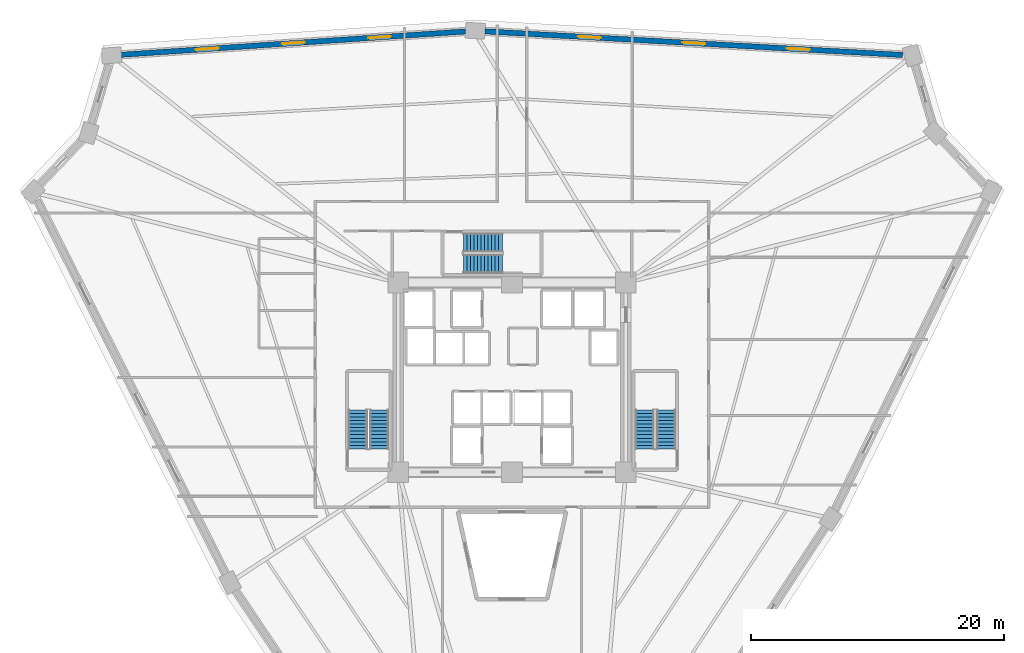
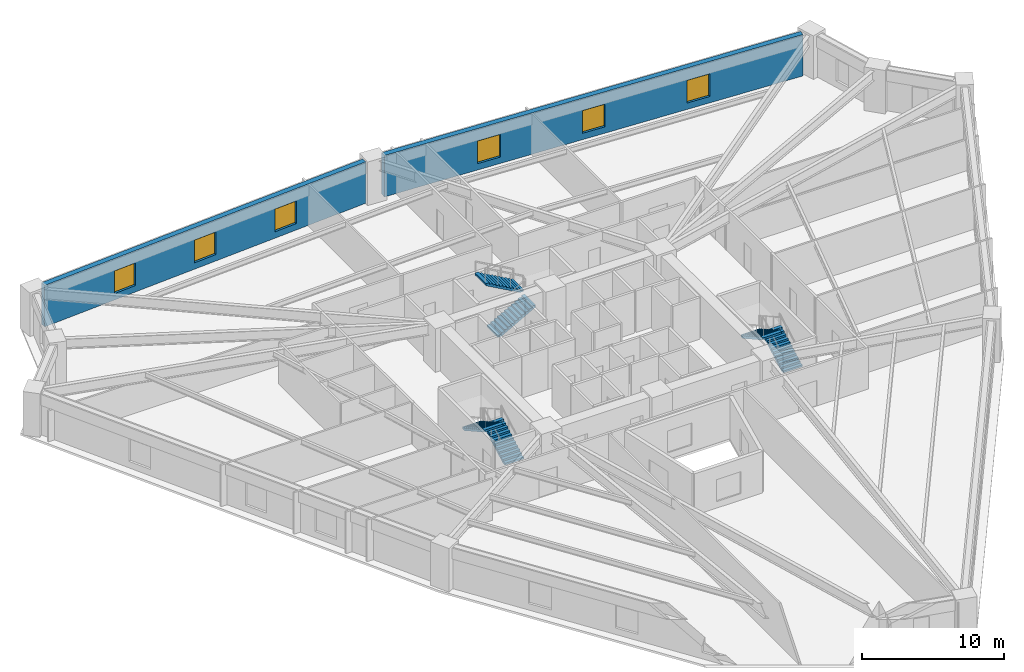
# One storey, part 7 of 8: 6 stair flights, 6 windows, 2 walls, 6 openings, 3 elements without a shape of their own.
"""IFC4 building model written with IfcOpenShell, lengths in metres."""

from ifc_helpers import new_model, si_unit, direction, frame, frame_2d, origin, place, context, subcontext, project, spatial, polyline, rectangle, outline, extrude, source, transform, mapped, material, layer, layer_set, type_object, element, fill, aggregate, save


model = new_model("IFC4")

# Units and contexts
model_context = context("Model", 3, precision=1e-05, world=origin(), true_north=direction((0.0, 1.0)))
body_context = subcontext(model_context, "Body", "Model", "MODEL_VIEW")
ifc_project = project(units=[si_unit("LENGTHUNIT", "METRE"), si_unit("AREAUNIT", "SQUARE_METRE"), si_unit("VOLUMEUNIT", "CUBIC_METRE"), si_unit("PLANEANGLEUNIT", "RADIAN"), si_unit("MASSUNIT", "GRAM", prefix="KILO")], contexts=[model_context])

# Site, building, storey
site_placement = place(None, origin())
site = spatial("IfcSite", under=ifc_project, at=site_placement, CompositionType="ELEMENT")
building_placement = place(site_placement, origin())
building = spatial("IfcBuilding", under=site, at=building_placement, Name="Liaohun Quay Tower", CompositionType="ELEMENT")
storey_placement = place(building_placement, frame((0.0, 0.0, 81.75)))
storey = spatial("IfcBuildingStorey", under=building, at=storey_placement, Name="L21", CompositionType="ELEMENT", Elevation=81.75)

# Wall, openings, windows
ifc_material_1 = material(Name="Precast concrete C50 insulated sandwich", Category="concrete")
ifc_layer = layer(ifc_material_1, 0.419921875, Name="Precast concrete C50 insulated sandwich", Category="concrete")
ifc_layer_set = layer_set([ifc_layer], Name="Precast concrete C50 insulated sandwich")
wall_type = type_object("IfcWallType", Name="WAL-EXT-Z12", PredefinedType="SOLIDWALL", material=ifc_layer_set)
wall_1_placement = place(storey_placement, frame((90.902099609375, 79.5029296875, 0.0), z_axis=(0.0, 0.0, 1.0), x_axis=(-0.998398734181, 0.056568255998, 0.0)))
wall_1 = element("IfcWall", 1, at=wall_1_placement, inside=storey, type_object=wall_type, Name="L21 Brutalist Precast Pier Wall 06", PredefinedType="SOLIDWALL", context=body_context, shape_type="SweptSolid", body=[
    extrude(rectangle(XDim=33.093994140625, YDim=0.419921875, at=frame_2d((16.546875, 0.0))), origin(), (0.0, 0.0, 1.0), 3.570068359375),
])
shared_shape_1 = source(origin(), body_context, "Body", "SweptSolid", [
    extrude(rectangle(XDim=1.800048828125, YDim=1.949951171875, at=frame_2d((0.89990234375, 0.97509765625))), frame((0.0, 0.219970703125, 0.0), z_axis=(0.0, -1.0, 0.0), x_axis=(1.0, 0.0, 0.0)), (0.0, 0.0, 1.0), 0.43994140625),
])
opening_1_placement = place(wall_1_placement, frame((7.373046875, 0.0, 0.550048828125)))
opening_1 = element("IfcOpeningElement", 2, at=opening_1_placement, cuts=wall_1, Name="Opening W01", PredefinedType="OPENING", context=body_context, shape_type="MappedRepresentation", body=[
    mapped(shared_shape_1, transform((0.0, 0.0, 0.0), x_axis=(1.0, 0.0, 0.0), y_axis=(0.0, 1.0, 0.0), z_axis=(0.0, 0.0, 1.0), scale=1.0)),
])
opening_2_placement = place(wall_1_placement, frame((15.64697265625, 0.0, 0.550048828125)))
opening_2 = element("IfcOpeningElement", 3, at=opening_2_placement, cuts=wall_1, Name="Opening W01", PredefinedType="OPENING", context=body_context, shape_type="MappedRepresentation", body=[
    mapped(shared_shape_1, transform((0.0, 0.0, 0.0), x_axis=(1.0, 0.0, 0.0), y_axis=(0.0, 1.0, 0.0), z_axis=(0.0, 0.0, 1.0), scale=1.0)),
])
opening_3_placement = place(wall_1_placement, frame((23.919921875, 0.0, 0.550048828125)))
opening_3 = element("IfcOpeningElement", 4, at=opening_3_placement, cuts=wall_1, Name="Opening W01", PredefinedType="OPENING", context=body_context, shape_type="MappedRepresentation", body=[
    mapped(shared_shape_1, transform((0.0, 0.0, 0.0), x_axis=(1.0, 0.0, 0.0), y_axis=(0.0, 1.0, 0.0), z_axis=(0.0, 0.0, 1.0), scale=1.0)),
])
ifc_material_2 = material(Name="Triple Low-E argon glazing in thermally broken aluminium", Category="aluminium")
window_type = type_object("IfcWindowType", Name="WIN-PUN-Z1", PartitioningType="DOUBLE_PANEL_VERTICAL", PredefinedType="WINDOW", material=ifc_material_2)
shared_shape_2 = source(origin(), body_context, "Body", "SweptSolid", [
    extrude(rectangle(XDim=1.800048828125, YDim=1.949951171875, at=frame_2d((0.89990234375, 0.97509765625))), frame((0.0, 0.030029296875, 0.0), z_axis=(0.0, -1.0, 0.0), x_axis=(1.0, 0.0, 0.0)), (0.0, 0.0, 1.0), 0.06005859375),
])
window_1_placement = place(opening_1_placement, origin())
window_1 = element("IfcWindow", 5, at=window_1_placement, inside=storey, type_object=window_type, Name="L21 Recessed Cold-Climate Punched Window 06-1", OverallHeight=1.949951171875, OverallWidth=1.800048828125, PartitioningType="DOUBLE_PANEL_VERTICAL", PredefinedType="WINDOW", context=body_context, shape_type="MappedRepresentation", body=[
    mapped(shared_shape_2, transform((0.0, 0.0, 0.0), x_axis=(1.0, 0.0, 0.0), y_axis=(0.0, 1.0, 0.0), z_axis=(0.0, 0.0, 1.0), scale=1.0)),
])
fill(opening_1, window_1)
window_2_placement = place(opening_2_placement, origin())
window_2 = element("IfcWindow", 6, at=window_2_placement, inside=storey, type_object=window_type, Name="L21 Recessed Cold-Climate Punched Window 06-2", OverallHeight=1.949951171875, OverallWidth=1.800048828125, PartitioningType="DOUBLE_PANEL_VERTICAL", PredefinedType="WINDOW", context=body_context, shape_type="MappedRepresentation", body=[
    mapped(shared_shape_2, transform((0.0, 0.0, 0.0), x_axis=(1.0, 0.0, 0.0), y_axis=(0.0, 1.0, 0.0), z_axis=(0.0, 0.0, 1.0), scale=1.0)),
])
fill(opening_2, window_2)
window_3_placement = place(opening_3_placement, origin())
window_3 = element("IfcWindow", 7, at=window_3_placement, inside=storey, type_object=window_type, Name="L21 Recessed Cold-Climate Punched Window 06-3", OverallHeight=1.949951171875, OverallWidth=1.800048828125, PartitioningType="DOUBLE_PANEL_VERTICAL", PredefinedType="WINDOW", context=body_context, shape_type="MappedRepresentation", body=[
    mapped(shared_shape_2, transform((0.0, 0.0, 0.0), x_axis=(1.0, 0.0, 0.0), y_axis=(0.0, 1.0, 0.0), z_axis=(0.0, 0.0, 1.0), scale=1.0)),
])
fill(opening_3, window_3)

wall_2_placement = place(storey_placement, frame((56.333984375, 81.365966796875, 0.0), z_axis=(0.0, 0.0, 1.0), x_axis=(-0.997708484566, -0.067659292233, 0.0)))
wall_2 = element("IfcWall", 8, at=wall_2_placement, inside=storey, type_object=wall_type, Name="L21 Brutalist Precast Pier Wall 07", PredefinedType="SOLIDWALL", context=body_context, shape_type="SweptSolid", body=[
    extrude(rectangle(XDim=27.29736328125, YDim=0.419921875, at=frame_2d((13.648681640625, 0.0))), origin(), (0.0, 0.0, 1.0), 3.570068359375),
])
opening_4_placement = place(wall_2_placement, frame((5.924072265625, 0.0, 0.550048828125)))
opening_4 = element("IfcOpeningElement", 9, at=opening_4_placement, cuts=wall_2, Name="Opening W01", PredefinedType="OPENING", context=body_context, shape_type="MappedRepresentation", body=[
    mapped(shared_shape_1, transform((0.0, 0.0, 0.0), x_axis=(1.0, 0.0, 0.0), y_axis=(0.0, 1.0, 0.0), z_axis=(0.0, 0.0, 1.0), scale=1.0)),
])
opening_5_placement = place(wall_2_placement, frame((12.7490234375, 0.0, 0.550048828125)))
opening_5 = element("IfcOpeningElement", 10, at=opening_5_placement, cuts=wall_2, Name="Opening W01", PredefinedType="OPENING", context=body_context, shape_type="MappedRepresentation", body=[
    mapped(shared_shape_1, transform((0.0, 0.0, 0.0), x_axis=(1.0, 0.0, 0.0), y_axis=(0.0, 1.0, 0.0), z_axis=(0.0, 0.0, 1.0), scale=1.0)),
])
opening_6_placement = place(wall_2_placement, frame((19.572998046875, 0.0, 0.550048828125)))
opening_6 = element("IfcOpeningElement", 11, at=opening_6_placement, cuts=wall_2, Name="Opening W01", PredefinedType="OPENING", context=body_context, shape_type="MappedRepresentation", body=[
    mapped(shared_shape_1, transform((0.0, 0.0, 0.0), x_axis=(1.0, 0.0, 0.0), y_axis=(0.0, 1.0, 0.0), z_axis=(0.0, 0.0, 1.0), scale=1.0)),
])
window_4_placement = place(opening_4_placement, origin())
window_4 = element("IfcWindow", 12, at=window_4_placement, inside=storey, type_object=window_type, Name="L21 Recessed Cold-Climate Punched Window 07-1", OverallHeight=1.949951171875, OverallWidth=1.800048828125, PartitioningType="DOUBLE_PANEL_VERTICAL", PredefinedType="WINDOW", context=body_context, shape_type="MappedRepresentation", body=[
    mapped(shared_shape_2, transform((0.0, 0.0, 0.0), x_axis=(1.0, 0.0, 0.0), y_axis=(0.0, 1.0, 0.0), z_axis=(0.0, 0.0, 1.0), scale=1.0)),
])
fill(opening_4, window_4)
window_5_placement = place(opening_5_placement, origin())
window_5 = element("IfcWindow", 13, at=window_5_placement, inside=storey, type_object=window_type, Name="L21 Recessed Cold-Climate Punched Window 07-2", OverallHeight=1.949951171875, OverallWidth=1.800048828125, PartitioningType="DOUBLE_PANEL_VERTICAL", PredefinedType="WINDOW", context=body_context, shape_type="MappedRepresentation", body=[
    mapped(shared_shape_2, transform((0.0, 0.0, 0.0), x_axis=(1.0, 0.0, 0.0), y_axis=(0.0, 1.0, 0.0), z_axis=(0.0, 0.0, 1.0), scale=1.0)),
])
fill(opening_5, window_5)
window_6_placement = place(opening_6_placement, origin())
window_6 = element("IfcWindow", 14, at=window_6_placement, inside=storey, type_object=window_type, Name="L21 Recessed Cold-Climate Punched Window 07-3", OverallHeight=1.949951171875, OverallWidth=1.800048828125, PartitioningType="DOUBLE_PANEL_VERTICAL", PredefinedType="WINDOW", context=body_context, shape_type="MappedRepresentation", body=[
    mapped(shared_shape_2, transform((0.0, 0.0, 0.0), x_axis=(1.0, 0.0, 0.0), y_axis=(0.0, 1.0, 0.0), z_axis=(0.0, 0.0, 1.0), scale=1.0)),
])
fill(opening_6, window_6)

# Stair, stair flights
ifc_material_3 = material(Name="Concrete C45", Category="concrete")
stair_type = type_object("IfcStairType", Name="STR-CORE-OFF", PredefinedType="HALF_TURN_STAIR", material=ifc_material_3)
stair_1_placement = place(storey_placement, origin())
stair_1 = element("IfcStair", 15, at=stair_1_placement, inside=storey, type_object=stair_type, Name="L21 Smokeproof Core Exit Stair ST-1", PredefinedType="HALF_TURN_STAIR")
stair_flight_type = type_object("IfcStairFlightType", Name="FLT-CORE-155", PredefinedType="STRAIGHT", material=ifc_material_3)
stair_flight_1_placement = place(storey_placement, frame((49.5048828125, 48.35009765625, 0.0), z_axis=(0.0, 0.0, 1.0), x_axis=(0.0, 1.0, 0.0)))
stair_flight_1 = element("IfcStairFlight", 16, at=stair_flight_1_placement, type_object=stair_flight_type, Name="ST-1 flight 1", NumberOfRisers=12, NumberOfTreads=11, PredefinedType="STRAIGHT", RiserHeight=0.15625, TreadLength=0.28, context=body_context, shape_type="SweptSolid", body=[
    extrude(outline(polyline([(0.0, 0.0), (0.0, 0.15625), (0.280029296875, 0.15625), (0.280029296875, 0.3125), (0.56005859375, 0.3125), (0.56005859375, 0.46875), (0.840087890625, 0.46875), (0.840087890625, 0.625), (1.1201171875, 0.625), (1.1201171875, 0.78125), (1.39990234375, 0.78125), (1.39990234375, 0.9375), (1.679931640625, 0.9375), (1.679931640625, 1.09375), (1.9599609375, 1.09375), (1.9599609375, 1.25), (2.239990234375, 1.25), (2.239990234375, 1.40625), (2.52001953125, 1.40625), (2.52001953125, 1.5625), (2.800048828125, 1.5625), (2.800048828125, 1.71875), (3.080078125, 1.71875), (3.080078125, 1.875), (3.080078125, 1.547119140625), (0.3076171875, 0.0), (0.0, 0.0)])), frame((0.0, 0.77490234375, 0.0), z_axis=(0.0, -1.0, 0.0), x_axis=(1.0, 0.0, 0.0)), (0.0, 0.0, 1.0), 1.550048828125),
])
stair_flight_2_placement = place(storey_placement, frame((47.81494140625, 51.429931640625, 1.875), z_axis=(0.0, 0.0, 1.0), x_axis=(0.0, -1.0, 0.0)))
stair_flight_2 = element("IfcStairFlight", 17, at=stair_flight_2_placement, type_object=stair_flight_type, Name="ST-1 flight 2", NumberOfRisers=12, NumberOfTreads=11, PredefinedType="STRAIGHT", RiserHeight=0.15625, TreadLength=0.28, context=body_context, shape_type="SweptSolid", body=[
    extrude(outline(polyline([(0.0, 0.0), (0.0, 0.15625), (0.280029296875, 0.15625), (0.280029296875, 0.3125), (0.56005859375, 0.3125), (0.56005859375, 0.46875), (0.840087890625, 0.46875), (0.840087890625, 0.625), (1.1201171875, 0.625), (1.1201171875, 0.78125), (1.39990234375, 0.78125), (1.39990234375, 0.9375), (1.679931640625, 0.9375), (1.679931640625, 1.09375), (1.9599609375, 1.09375), (1.9599609375, 1.25), (2.239990234375, 1.25), (2.239990234375, 1.40625), (2.52001953125, 1.40625), (2.52001953125, 1.5625), (2.800048828125, 1.5625), (2.800048828125, 1.71875), (3.080078125, 1.71875), (3.080078125, 1.875), (3.080078125, 1.547119140625), (0.3076171875, 0.0), (0.0, 0.0)])), frame((0.0, 0.77490234375, 0.0), z_axis=(0.0, -1.0, 0.0), x_axis=(1.0, 0.0, 0.0)), (0.0, 0.0, 1.0), 1.550048828125),
])
aggregate(stair_1, [stair_flight_1, stair_flight_2])

stair_2_placement = place(storey_placement, origin())
stair_2 = element("IfcStair", 18, at=stair_2_placement, inside=storey, type_object=stair_type, Name="L21 Smokeproof Core Exit Stair ST-2", PredefinedType="HALF_TURN_STAIR")
stair_flight_3_placement = place(storey_placement, frame((72.18505859375, 48.35009765625, 0.0), z_axis=(0.0, 0.0, 1.0), x_axis=(0.0, 1.0, 0.0)))
stair_flight_3 = element("IfcStairFlight", 19, at=stair_flight_3_placement, type_object=stair_flight_type, Name="ST-2 flight 1", NumberOfRisers=12, NumberOfTreads=11, PredefinedType="STRAIGHT", RiserHeight=0.15625, TreadLength=0.28, context=body_context, shape_type="SweptSolid", body=[
    extrude(outline(polyline([(0.0, 0.0), (0.0, 0.15625), (0.280029296875, 0.15625), (0.280029296875, 0.3125), (0.56005859375, 0.3125), (0.56005859375, 0.46875), (0.840087890625, 0.46875), (0.840087890625, 0.625), (1.1201171875, 0.625), (1.1201171875, 0.78125), (1.39990234375, 0.78125), (1.39990234375, 0.9375), (1.679931640625, 0.9375), (1.679931640625, 1.09375), (1.9599609375, 1.09375), (1.9599609375, 1.25), (2.239990234375, 1.25), (2.239990234375, 1.40625), (2.52001953125, 1.40625), (2.52001953125, 1.5625), (2.800048828125, 1.5625), (2.800048828125, 1.71875), (3.080078125, 1.71875), (3.080078125, 1.875), (3.080078125, 1.547119140625), (0.3076171875, 0.0), (0.0, 0.0)])), frame((0.0, 0.77490234375, 0.0), z_axis=(0.0, -1.0, 0.0), x_axis=(1.0, 0.0, 0.0)), (0.0, 0.0, 1.0), 1.550048828125),
])
stair_flight_4_placement = place(storey_placement, frame((70.4951171875, 51.429931640625, 1.875), z_axis=(0.0, 0.0, 1.0), x_axis=(0.0, -1.0, 0.0)))
stair_flight_4 = element("IfcStairFlight", 20, at=stair_flight_4_placement, type_object=stair_flight_type, Name="ST-2 flight 2", NumberOfRisers=12, NumberOfTreads=11, PredefinedType="STRAIGHT", RiserHeight=0.15625, TreadLength=0.28, context=body_context, shape_type="SweptSolid", body=[
    extrude(outline(polyline([(0.0, 0.0), (0.0, 0.15625), (0.280029296875, 0.15625), (0.280029296875, 0.3125), (0.56005859375, 0.3125), (0.56005859375, 0.46875), (0.840087890625, 0.46875), (0.840087890625, 0.625), (1.1201171875, 0.625), (1.1201171875, 0.78125), (1.39990234375, 0.78125), (1.39990234375, 0.9375), (1.679931640625, 0.9375), (1.679931640625, 1.09375), (1.9599609375, 1.09375), (1.9599609375, 1.25), (2.239990234375, 1.25), (2.239990234375, 1.40625), (2.52001953125, 1.40625), (2.52001953125, 1.5625), (2.800048828125, 1.5625), (2.800048828125, 1.71875), (3.080078125, 1.71875), (3.080078125, 1.875), (3.080078125, 1.547119140625), (0.3076171875, 0.0), (0.0, 0.0)])), frame((0.0, 0.77490234375, 0.0), z_axis=(0.0, -1.0, 0.0), x_axis=(1.0, 0.0, 0.0)), (0.0, 0.0, 1.0), 1.550048828125),
])
aggregate(stair_2, [stair_flight_3, stair_flight_4])

stair_3_placement = place(storey_placement, origin())
stair_3 = element("IfcStair", 21, at=stair_3_placement, inside=storey, type_object=stair_type, Name="L21 Smokeproof Core Exit Stair ST-3", PredefinedType="HALF_TURN_STAIR")
stair_flight_5_placement = place(storey_placement, frame((56.14990234375, 62.97509765625, 0.0), z_axis=(0.0, 0.0, 1.0), x_axis=(1.0, 0.0, 0.0)))
stair_flight_5 = element("IfcStairFlight", 22, at=stair_flight_5_placement, type_object=stair_flight_type, Name="ST-3 flight 1", NumberOfRisers=12, NumberOfTreads=11, PredefinedType="STRAIGHT", RiserHeight=0.15625, TreadLength=0.28, context=body_context, shape_type="SweptSolid", body=[
    extrude(outline(polyline([(0.0, 0.0), (0.0, 0.15625), (0.280029296875, 0.15625), (0.280029296875, 0.3125), (0.56005859375, 0.3125), (0.56005859375, 0.46875), (0.840087890625, 0.46875), (0.840087890625, 0.625), (1.1201171875, 0.625), (1.1201171875, 0.78125), (1.39990234375, 0.78125), (1.39990234375, 0.9375), (1.679931640625, 0.9375), (1.679931640625, 1.09375), (1.9599609375, 1.09375), (1.9599609375, 1.25), (2.239990234375, 1.25), (2.239990234375, 1.40625), (2.52001953125, 1.40625), (2.52001953125, 1.5625), (2.800048828125, 1.5625), (2.800048828125, 1.71875), (3.080078125, 1.71875), (3.080078125, 1.875), (3.080078125, 1.547119140625), (0.3076171875, 0.0), (0.0, 0.0)])), frame((0.0, 0.77490234375, 0.0), z_axis=(0.0, -1.0, 0.0), x_axis=(1.0, 0.0, 0.0)), (0.0, 0.0, 1.0), 1.550048828125),
])
stair_flight_6_placement = place(storey_placement, frame((59.22998046875, 64.6650390625, 1.875), z_axis=(0.0, 0.0, 1.0), x_axis=(-1.0, 0.0, 0.0)))
stair_flight_6 = element("IfcStairFlight", 23, at=stair_flight_6_placement, type_object=stair_flight_type, Name="ST-3 flight 2", NumberOfRisers=12, NumberOfTreads=11, PredefinedType="STRAIGHT", RiserHeight=0.15625, TreadLength=0.28, context=body_context, shape_type="SweptSolid", body=[
    extrude(outline(polyline([(0.0, 0.0), (0.0, 0.15625), (0.280029296875, 0.15625), (0.280029296875, 0.3125), (0.56005859375, 0.3125), (0.56005859375, 0.46875), (0.840087890625, 0.46875), (0.840087890625, 0.625), (1.1201171875, 0.625), (1.1201171875, 0.78125), (1.39990234375, 0.78125), (1.39990234375, 0.9375), (1.679931640625, 0.9375), (1.679931640625, 1.09375), (1.9599609375, 1.09375), (1.9599609375, 1.25), (2.239990234375, 1.25), (2.239990234375, 1.40625), (2.52001953125, 1.40625), (2.52001953125, 1.5625), (2.800048828125, 1.5625), (2.800048828125, 1.71875), (3.080078125, 1.71875), (3.080078125, 1.875), (3.080078125, 1.547119140625), (0.3076171875, 0.0), (0.0, 0.0)])), frame((0.0, 0.77490234375, 0.0), z_axis=(0.0, -1.0, 0.0), x_axis=(1.0, 0.0, 0.0)), (0.0, 0.0, 1.0), 1.550048828125),
])
aggregate(stair_3, [stair_flight_5, stair_flight_6])

save(model, "model.ifc")
